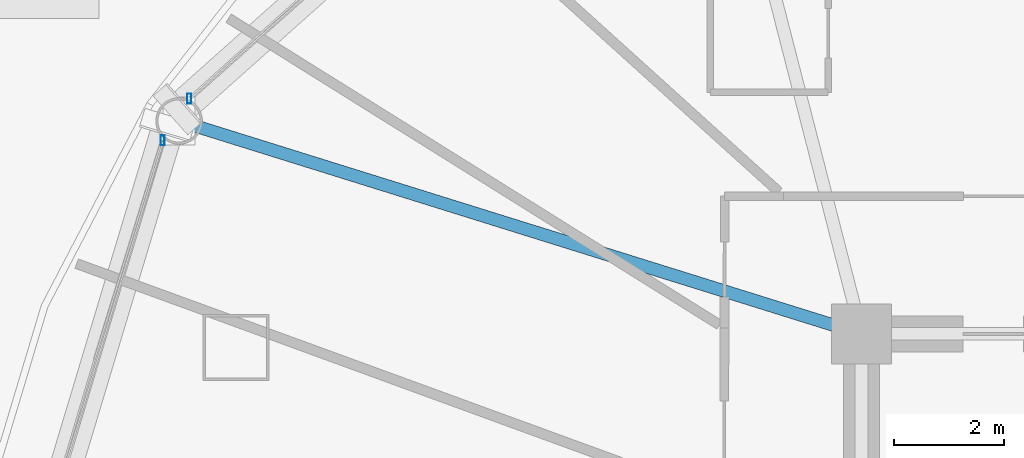
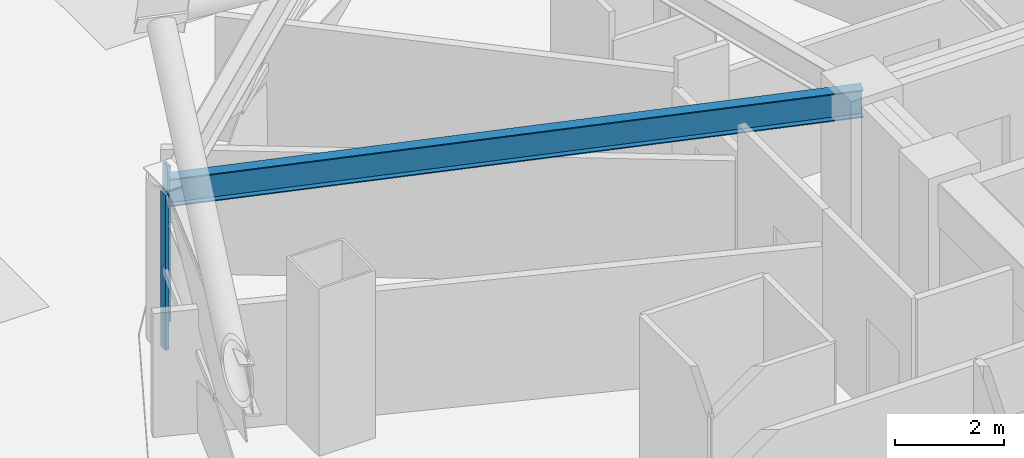
# One storey, part 12 of 27: 2 members, 1 beam, 2 elements without a shape of their own.
"""IFC4 building model written with IfcOpenShell, lengths in metres."""

from ifc_helpers import new_model, si_unit, direction, frame, origin, origin_2d, place, context, subcontext, project, spatial, hollow_rectangle, i_section, extrude, material, layer, layer_set, material_profile, profile_set, type_object, element, aggregate, save


model = new_model("IFC4")

# Units and contexts
model_context = context("Model", 3, precision=1e-05, world=origin(), true_north=direction((0.0, 1.0)))
body_context = subcontext(model_context, "Body", "Model", "MODEL_VIEW")
ifc_project = project(units=[si_unit("LENGTHUNIT", "METRE"), si_unit("AREAUNIT", "SQUARE_METRE"), si_unit("VOLUMEUNIT", "CUBIC_METRE"), si_unit("PLANEANGLEUNIT", "RADIAN"), si_unit("MASSUNIT", "GRAM", prefix="KILO")], contexts=[model_context])

# Site, building, storey
site_placement = place(None, origin())
site = spatial("IfcSite", under=ifc_project, at=site_placement, CompositionType="ELEMENT")
building_placement = place(site_placement, origin())
building = spatial("IfcBuilding", under=site, at=building_placement, Name="Vantalir Tower", CompositionType="ELEMENT")
storey_placement = place(building_placement, frame((0.0, 0.0, 27.0)))
storey = spatial("IfcBuildingStorey", under=building, at=storey_placement, Name="L05", CompositionType="ELEMENT", Elevation=27.0)

# Beam
ifc_material_1 = material(Name="Steel S355", Category="steel")
ifc_material_profile_1 = material_profile(ifc_material_1, i_section(OverallWidth=0.22998046875, OverallDepth=0.616943359375, WebThickness=0.01318359375, FlangeThickness=0.022216796875, at=origin_2d()), Name="Steel S355")
ifc_profile_set_1 = profile_set([ifc_material_profile_1], Name="Steel S355")
beam_type = type_object("IfcBeamType", Name="BM-RB-610x229", PredefinedType="BEAM", material=ifc_profile_set_1)
beam_placement = place(storey_placement, frame((9.4599609375, 36.33203125, 3.261962890625), z_axis=(0.954597910708, -0.297897346198, 0.0), x_axis=(0.297897346198, 0.954597910708, 0.0)))
element("IfcBeam", 1, at=beam_placement, inside=storey, type_object=beam_type, Name="L05 Radial Floor Beam 06", PredefinedType="BEAM", context=body_context, shape_type="SweptSolid", body=[
    extrude(i_section(OverallWidth=0.22998046875, OverallDepth=0.616943359375, WebThickness=0.01318359375, FlangeThickness=0.022216796875, at=origin_2d()), origin(), (0.0, 0.0, 1.0), 13.031494140625),
])

# Curtain wall, member
ifc_material_2 = material(Name="Champagne-silver PVDF aluminium and double-silver Low-E glass", Category="aluminium")
ifc_layer = layer(ifc_material_2, 0.18994140625)
ifc_layer_set = layer_set([ifc_layer], Name="Champagne-silver PVDF aluminium and double-silver Low-E glass")
curtain_wall_type = type_object("IfcCurtainWallType", Name="CW-DIAMOND-Z1", PredefinedType="USERDEFINED", material=ifc_layer_set)
curtain_wall_1_placement = place(storey_placement, origin())
curtain_wall_1 = element("IfcCurtainWall", 2, at=curtain_wall_1_placement, inside=storey, type_object=curtain_wall_type, Name="L05 Quilted Pyramid-Diamond Curtain Wall S05", ObjectType="UNITISED CURTAIN WALL", PredefinedType="USERDEFINED")
ifc_material_3 = material(Name="Champagne-silver PVDF aluminium 6063-T6", Category="aluminium")
ifc_material_profile_2 = material_profile(ifc_material_3, hollow_rectangle(XDim=0.074951171875, YDim=0.179931640625, WallThickness=0.00390625, at=origin_2d()), Name="Champagne-silver PVDF aluminium 6063-T6")
ifc_profile_set_2 = profile_set([ifc_material_profile_2], Name="Champagne-silver PVDF aluminium 6063-T6")
member_type = type_object("IfcMemberType", Name="CWM-180x75", PredefinedType="MULLION", material=ifc_profile_set_2)
member_1_placement = place(storey_placement, frame((9.64599609375, 36.739990234375, 0.044921875), z_axis=(0.0, 0.0, 1.0), x_axis=(1.0, 0.0, 0.0)))
member_1 = element("IfcMember", 3, at=member_1_placement, type_object=member_type, Name="CW-L05-S05 Mullion 2", PredefinedType="MULLION", context=body_context, shape_type="SweptSolid", body=[
    extrude(hollow_rectangle(XDim=0.074951171875, YDim=0.179931640625, WallThickness=0.00390625, at=origin_2d()), origin(), (0.0, 0.0, 1.0), 3.47998046875),
])
aggregate(curtain_wall_1, [member_1])

curtain_wall_2_placement = place(storey_placement, origin())
curtain_wall_2 = element("IfcCurtainWall", 4, at=curtain_wall_2_placement, inside=storey, type_object=curtain_wall_type, Name="L05 Quilted Pyramid-Diamond Curtain Wall S06", ObjectType="UNITISED CURTAIN WALL", PredefinedType="USERDEFINED")
member_2_placement = place(storey_placement, frame((9.159912109375, 35.97705078125, 0.044921875), z_axis=(0.0, 0.0, 1.0), x_axis=(1.0, 0.0, 0.0)))
member_2 = element("IfcMember", 5, at=member_2_placement, type_object=member_type, Name="CW-L05-S06 Mullion 1", PredefinedType="MULLION", context=body_context, shape_type="SweptSolid", body=[
    extrude(hollow_rectangle(XDim=0.074951171875, YDim=0.179931640625, WallThickness=0.00390625, at=origin_2d()), origin(), (0.0, 0.0, 1.0), 3.47998046875),
])
aggregate(curtain_wall_2, [member_2])

save(model, "model.ifc")
